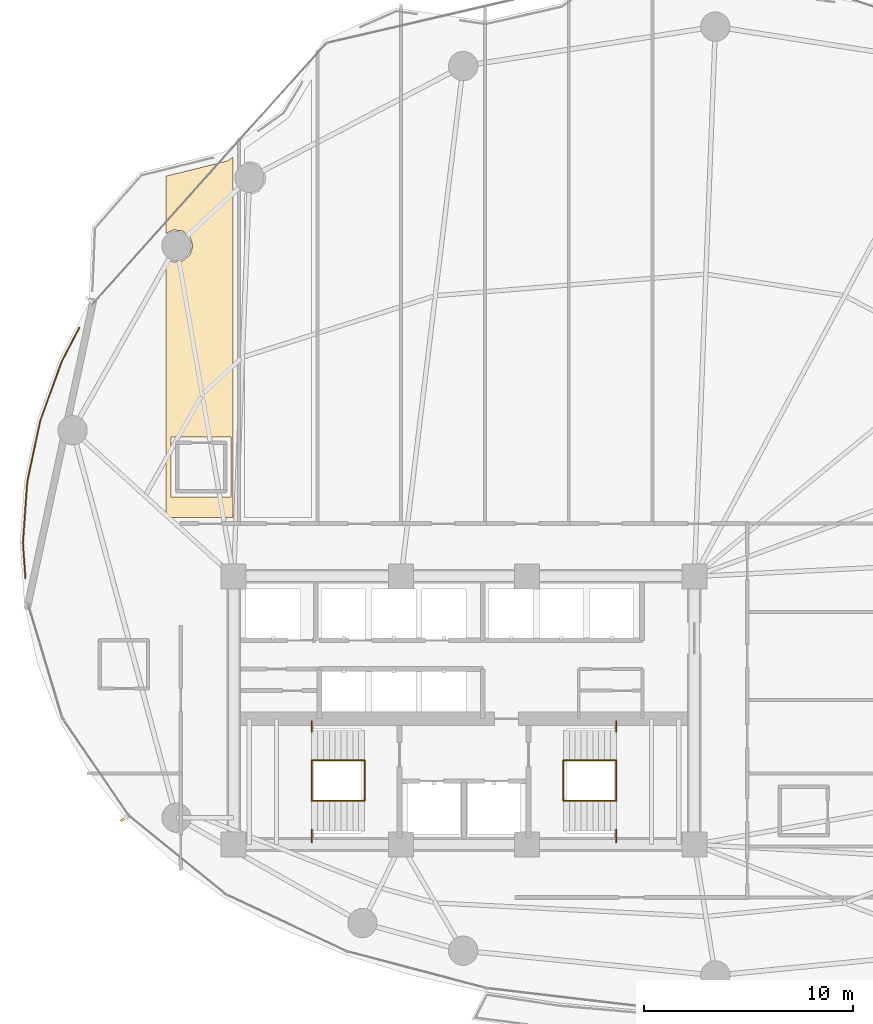
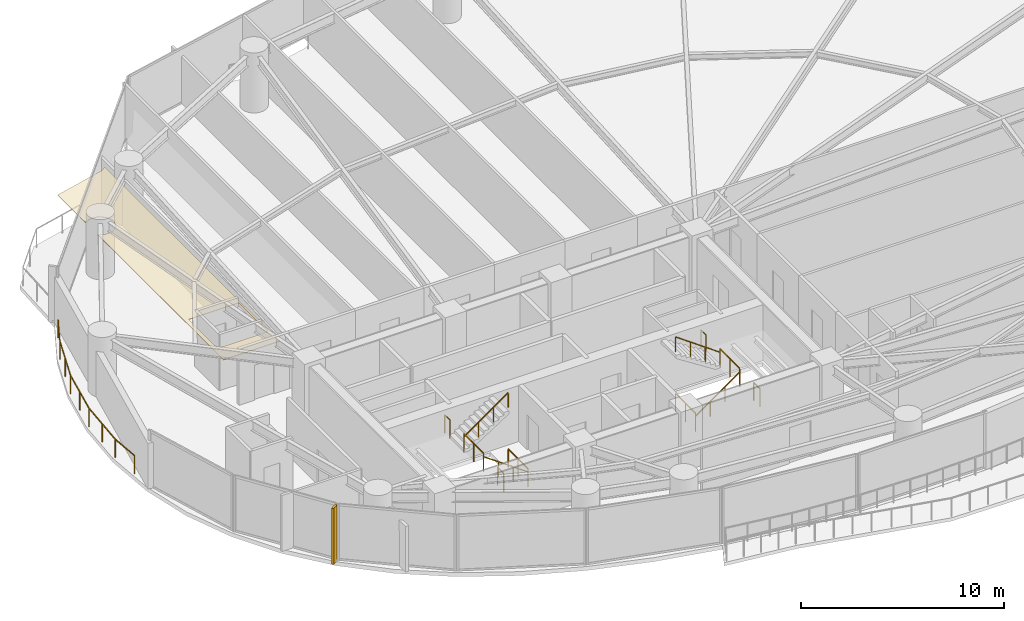
# One storey, part 30 of 32: 13 railings, 1 covering, 1 shading device.
"""IFC4 building model written with IfcOpenShell, lengths in metres."""

from ifc_helpers import new_model, si_unit, direction, frame, origin, origin_2d, place, context, subcontext, project, spatial, polyline, rectangle, outline, extrude, material, layer, layer_set, type_object, element, save


model = new_model("IFC4")

# Units and contexts
model_context = context("Model", 3, precision=1e-05, world=origin(), true_north=direction((0.0, 1.0)))
body_context = subcontext(model_context, "Body", "Model", "MODEL_VIEW")
ifc_project = project(units=[si_unit("LENGTHUNIT", "METRE"), si_unit("AREAUNIT", "SQUARE_METRE"), si_unit("VOLUMEUNIT", "CUBIC_METRE"), si_unit("PLANEANGLEUNIT", "RADIAN"), si_unit("MASSUNIT", "GRAM", prefix="KILO")], contexts=[model_context])

# Site, building, storey
site_placement = place(None, origin())
site = spatial("IfcSite", under=ifc_project, at=site_placement, CompositionType="ELEMENT")
building_placement = place(site_placement, origin())
building = spatial("IfcBuilding", under=site, at=building_placement, Name="Kazevale Care Tower and Concert Hall", CompositionType="ELEMENT")
storey_placement = place(building_placement, frame((0.0, 0.0, 85.199951171875)))
storey = spatial("IfcBuildingStorey", under=building, at=storey_placement, Name="L22", CompositionType="ELEMENT", Elevation=85.199951171875)

# Covering
ifc_material_1 = material(Name="Acoustic Plaster and Hinoki Wood", Category="wood")
ifc_layer = layer(ifc_material_1, 0.0400390625)
ifc_layer_set = layer_set([ifc_layer], Name="Acoustic Plaster and Hinoki Wood")
covering_type = type_object("IfcCoveringType", Name="Acoustic Perforated Wood-Gypsum Ceiling", PredefinedType="CEILING", material=ifc_layer_set)
covering_placement = place(storey_placement, frame((0.0, 0.0, 2.7099609375)))
element("IfcCovering", 1, at=covering_placement, inside=storey, type_object=covering_type, Name="clg:L22:1", PredefinedType="CEILING", context=body_context, shape_type="SweptSolid", body=[
    extrude(outline(polyline([(21.969970703125, 56.419921875), (21.969970703125, 39.205078125), (18.780029296875, 39.205078125), (18.780029296875, 51.577880859375), (19.117919921875, 51.4150390625), (19.568115234375, 51.458984375), (19.9189453125, 51.7470703125), (20.050048828125, 52.179931640625), (19.9189453125, 52.613037109375), (19.568115234375, 52.90087890625), (19.117919921875, 52.945068359375), (18.780029296875, 52.781982421875), (18.780029296875, 55.513916015625), (21.718994140625, 56.241943359375), (21.969970703125, 56.419921875)]), holes=[polyline([(19.02001953125, 43.054931640625), (19.02001953125, 40.195068359375), (21.8798828125, 40.195068359375), (21.8798828125, 43.054931640625), (19.02001953125, 43.054931640625)])]), origin(), (0.0, 0.0, 1.0), 0.0400390625),
])

# Railings
ifc_material_2 = material(Name="Anodised Bronze Aluminium and Laminated Glass", Category="aluminium")
railing_type_1 = type_object("IfcRailingType", Name="Balcony and Terrace Balustrade 1120", PredefinedType="BALUSTRADE", material=ifc_material_2)
railing_1_placement = place(storey_placement, frame((12.06005859375, 36.31103515625, 0.0)))
element("IfcRailing", 2, at=railing_1_placement, inside=storey, type_object=railing_type_1, Name="rail:L22:perim:1", PredefinedType="BALUSTRADE", context=body_context, shape_type="SweptSolid", body=[
    extrude(rectangle(XDim=0.048095703125, YDim=0.048095703125, at=origin_2d()), frame((0.0, 0.0, 1.09619140625), z_axis=(-0.070939644406, 0.997480609762, 0.0), x_axis=(-0.997480609762, -0.070939644406, 0.0)), (0.0, 0.0, 1.0), 1.693115234375),
    extrude(rectangle(XDim=0.048095703125, YDim=0.048095703125, at=origin_2d()), frame((-0.1201171875, 1.68896484375, 1.09619140625), z_axis=(0.070669368456, 0.997499794668, 0.0), x_axis=(-0.997499794668, 0.070669368456, 0.0)), (0.0, 0.0, 1.0), 2.943359375),
    extrude(rectangle(XDim=0.048095703125, YDim=0.048095703125, at=origin_2d()), frame((0.087890625, 4.625, 1.09619140625), z_axis=(0.208798068262, 0.977958775558, 0.0), x_axis=(-0.977958775558, 0.208798068262, 0.0)), (0.0, 0.0, 1.0), 2.96533203125),
    extrude(rectangle(XDim=0.048095703125, YDim=0.048095703125, at=origin_2d()), frame((0.70703125, 7.52490234375, 1.09619140625), z_axis=(0.340817262657, 0.940129562069, 0.0), x_axis=(-0.940129562069, 0.340817262657, 0.0)), (0.0, 0.0, 1.0), 3.007080078125),
    extrude(rectangle(XDim=0.048095703125, YDim=0.048095703125, at=origin_2d()), frame((1.73193359375, 10.35205078125, 1.09619140625), z_axis=(0.461849030606, 0.886958551979, 0.0), x_axis=(-0.886958551979, 0.461849030606, 0.0)), (0.0, 0.0, 1.0), 1.827392578125),
    extrude(rectangle(XDim=0.0419921875, YDim=0.0419921875, at=origin_2d()), origin(), (0.0, 0.0, 1.0), 1.072021484375),
    extrude(rectangle(XDim=0.0419921875, YDim=0.0419921875, at=origin_2d()), frame((-0.1201171875, 1.68896484375, 0.0)), (0.0, 0.0, 1.0), 1.072021484375),
    extrude(rectangle(XDim=0.0419921875, YDim=0.0419921875, at=origin_2d()), frame((-0.01611328125, 3.156982421875, 0.0)), (0.0, 0.0, 1.0), 1.072021484375),
    extrude(rectangle(XDim=0.0419921875, YDim=0.0419921875, at=origin_2d()), frame((0.087890625, 4.625, 0.0)), (0.0, 0.0, 1.0), 1.072021484375),
    extrude(rectangle(XDim=0.0419921875, YDim=0.0419921875, at=origin_2d()), frame((0.3974609375, 6.074951171875, 0.0)), (0.0, 0.0, 1.0), 1.072021484375),
    extrude(rectangle(XDim=0.0419921875, YDim=0.0419921875, at=origin_2d()), frame((0.70703125, 7.52490234375, 0.0)), (0.0, 0.0, 1.0), 1.072021484375),
    extrude(rectangle(XDim=0.0419921875, YDim=0.0419921875, at=origin_2d()), frame((1.219482421875, 8.9384765625, 0.0)), (0.0, 0.0, 1.0), 1.072021484375),
    extrude(rectangle(XDim=0.0419921875, YDim=0.0419921875, at=origin_2d()), frame((1.73193359375, 10.35205078125, 0.0)), (0.0, 0.0, 1.0), 1.072021484375),
    extrude(rectangle(XDim=0.0419921875, YDim=0.0419921875, at=origin_2d()), frame((2.575927734375, 11.972900390625, 0.0)), (0.0, 0.0, 1.0), 1.072021484375),
])
ifc_material_3 = material(Name="Stainless Steel 316", Category="steel")
railing_type_2 = type_object("IfcRailingType", Name="Stair Pitch Handrail 920", PredefinedType="HANDRAIL", material=ifc_material_3)
railing_2_placement = place(storey_placement, frame((28.25, 25.679931640625, 0.0)))
element("IfcRailing", 3, at=railing_2_placement, inside=storey, type_object=railing_type_2, Name="stair:L22:ST1:hr1", PredefinedType="HANDRAIL", context=body_context, shape_type="SweptSolid", body=[
    extrude(rectangle(XDim=0.048095703125, YDim=0.048095703125, at=origin_2d()), frame((0.0, 0.0, 0.89599609375), z_axis=(-0.813728144527, 0.0, 0.581245650998), x_axis=(0.0, -1.0, 0.0)), (0.0, 0.0, 1.0), 3.096923828125),
    extrude(rectangle(XDim=0.0419921875, YDim=0.0419921875, at=origin_2d()), origin(), (0.0, 0.0, 1.0), 0.871826171875),
    extrude(rectangle(XDim=0.0419921875, YDim=0.0419921875, at=origin_2d()), frame((-0.840087890625, 0.0, 0.60009765625)), (0.0, 0.0, 1.0), 0.871826171875),
    extrude(rectangle(XDim=0.0419921875, YDim=0.0419921875, at=origin_2d()), frame((-1.679931640625, 0.0, 1.199951171875)), (0.0, 0.0, 1.0), 0.871826171875),
    extrude(rectangle(XDim=0.0419921875, YDim=0.0419921875, at=origin_2d()), frame((-2.52001953125, 0.0, 1.800048828125)), (0.0, 0.0, 1.0), 0.871826171875),
])
for number, where, name in (
    (4, (25.72998046875, 27.6201171875, 1.800048828125), "stair:L22:ST1:hr2"),
    (5, (37.75, 25.679931640625, 0.0), "stair:L22:ST2:hr1"),
):
    element("IfcRailing", number, at=place(storey_placement, frame(where)), inside=storey, type_object=railing_type_2, Name=name, PredefinedType="HANDRAIL", context=body_context, shape_type="SweptSolid", body=[
        extrude(rectangle(XDim=0.048095703125, YDim=0.048095703125, at=origin_2d()), frame((0.0, 0.0, 0.89599609375), z_axis=(0.813728144527, 0.0, 0.581245650998), x_axis=(0.0, 1.0, 0.0)), (0.0, 0.0, 1.0), 3.096923828125),
        extrude(rectangle(XDim=0.0419921875, YDim=0.0419921875, at=origin_2d()), origin(), (0.0, 0.0, 1.0), 0.871826171875),
        extrude(rectangle(XDim=0.0419921875, YDim=0.0419921875, at=origin_2d()), frame((0.840087890625, 0.0, 0.60009765625)), (0.0, 0.0, 1.0), 0.871826171875),
        extrude(rectangle(XDim=0.0419921875, YDim=0.0419921875, at=origin_2d()), frame((1.679931640625, 0.0, 1.199951171875)), (0.0, 0.0, 1.0), 0.871826171875),
        extrude(rectangle(XDim=0.0419921875, YDim=0.0419921875, at=origin_2d()), frame((2.52001953125, 0.0, 1.800048828125)), (0.0, 0.0, 1.0), 0.871826171875),
    ])
railing_3_placement = place(storey_placement, frame((40.27001953125, 27.6201171875, 1.800048828125)))
element("IfcRailing", 6, at=railing_3_placement, inside=storey, type_object=railing_type_2, Name="stair:L22:ST2:hr2", PredefinedType="HANDRAIL", context=body_context, shape_type="SweptSolid", body=[
    extrude(rectangle(XDim=0.048095703125, YDim=0.048095703125, at=origin_2d()), frame((0.0, 0.0, 0.89599609375), z_axis=(-0.813728144527, 0.0, 0.581245650998), x_axis=(0.0, -1.0, 0.0)), (0.0, 0.0, 1.0), 3.096923828125),
    extrude(rectangle(XDim=0.0419921875, YDim=0.0419921875, at=origin_2d()), origin(), (0.0, 0.0, 1.0), 0.871826171875),
    extrude(rectangle(XDim=0.0419921875, YDim=0.0419921875, at=origin_2d()), frame((-0.840087890625, 0.0, 0.60009765625)), (0.0, 0.0, 1.0), 0.871826171875),
    extrude(rectangle(XDim=0.0419921875, YDim=0.0419921875, at=origin_2d()), frame((-1.679931640625, 0.0, 1.199951171875)), (0.0, 0.0, 1.0), 0.871826171875),
    extrude(rectangle(XDim=0.0419921875, YDim=0.0419921875, at=origin_2d()), frame((-2.52001953125, 0.0, 1.800048828125)), (0.0, 0.0, 1.0), 0.871826171875),
])
railing_type_3 = type_object("IfcRailingType", Name="Stair Well Guard Balustrade 1120", PredefinedType="BALUSTRADE", material=ifc_material_3)
railing_4_placement = place(storey_placement, frame((25.72998046875, 23.699951171875, 1.800048828125)))
element("IfcRailing", 7, at=railing_4_placement, inside=storey, type_object=railing_type_3, Name="stair:L22:ST1:grd_side1", PredefinedType="BALUSTRADE", context=body_context, shape_type="SweptSolid", body=[
    extrude(rectangle(XDim=0.048095703125, YDim=0.048095703125, at=origin_2d()), frame((0.0, 0.0, 1.09619140625), z_axis=(0.0, 1.0, 0.0), x_axis=(-1.0, 0.0, 0.0)), (0.0, 0.0, 1.0), 0.610107421875),
    extrude(rectangle(XDim=0.0419921875, YDim=0.0419921875, at=origin_2d()), origin(), (0.0, 0.0, 1.0), 1.072021484375),
    extrude(rectangle(XDim=0.0419921875, YDim=0.0419921875, at=origin_2d()), frame((0.0, 0.610107421875, 0.0)), (0.0, 0.0, 1.0), 1.072021484375),
])
railing_5_placement = place(storey_placement, frame((25.72998046875, 28.989990234375, 1.800048828125)))
element("IfcRailing", 8, at=railing_5_placement, inside=storey, type_object=railing_type_3, Name="stair:L22:ST1:grd_side2", PredefinedType="BALUSTRADE", context=body_context, shape_type="SweptSolid", body=[
    extrude(rectangle(XDim=0.048095703125, YDim=0.048095703125, at=origin_2d()), frame((0.0, 0.0, 1.09619140625), z_axis=(0.0, 1.0, 0.0), x_axis=(-1.0, 0.0, 0.0)), (0.0, 0.0, 1.0), 0.510009765625),
    extrude(rectangle(XDim=0.0419921875, YDim=0.0419921875, at=origin_2d()), origin(), (0.0, 0.0, 1.0), 1.072021484375),
    extrude(rectangle(XDim=0.0419921875, YDim=0.0419921875, at=origin_2d()), frame((0.0, 0.510009765625, 0.0)), (0.0, 0.0, 1.0), 1.072021484375),
])
for number, where, name in (
    (9, (25.72998046875, 25.679931640625, 1.800048828125), "stair:L22:ST1:grd_mid"),
    (10, (28.25, 25.679931640625, 0.0), "stair:L22:ST1:grd_flr"),
):
    element("IfcRailing", number, at=place(storey_placement, frame(where)), inside=storey, type_object=railing_type_3, Name=name, PredefinedType="BALUSTRADE", context=body_context, shape_type="SweptSolid", body=[
        extrude(rectangle(XDim=0.048095703125, YDim=0.048095703125, at=origin_2d()), frame((0.0, 0.0, 1.09619140625), z_axis=(0.0, 1.0, 0.0), x_axis=(-1.0, 0.0, 0.0)), (0.0, 0.0, 1.0), 1.940185546875),
        extrude(rectangle(XDim=0.0419921875, YDim=0.0419921875, at=origin_2d()), origin(), (0.0, 0.0, 1.0), 1.072021484375),
        extrude(rectangle(XDim=0.0419921875, YDim=0.0419921875, at=origin_2d()), frame((0.0, 0.97021484375, 0.0)), (0.0, 0.0, 1.0), 1.072021484375),
        extrude(rectangle(XDim=0.0419921875, YDim=0.0419921875, at=origin_2d()), frame((0.0, 1.940185546875, 0.0)), (0.0, 0.0, 1.0), 1.072021484375),
    ])
railing_6_placement = place(storey_placement, frame((40.27001953125, 23.699951171875, 1.800048828125)))
element("IfcRailing", 11, at=railing_6_placement, inside=storey, type_object=railing_type_3, Name="stair:L22:ST2:grd_side1", PredefinedType="BALUSTRADE", context=body_context, shape_type="SweptSolid", body=[
    extrude(rectangle(XDim=0.048095703125, YDim=0.048095703125, at=origin_2d()), frame((0.0, 0.0, 1.09619140625), z_axis=(0.0, 1.0, 0.0), x_axis=(-1.0, 0.0, 0.0)), (0.0, 0.0, 1.0), 0.610107421875),
    extrude(rectangle(XDim=0.0419921875, YDim=0.0419921875, at=origin_2d()), origin(), (0.0, 0.0, 1.0), 1.072021484375),
    extrude(rectangle(XDim=0.0419921875, YDim=0.0419921875, at=origin_2d()), frame((0.0, 0.610107421875, 0.0)), (0.0, 0.0, 1.0), 1.072021484375),
])
railing_7_placement = place(storey_placement, frame((40.27001953125, 28.989990234375, 1.800048828125)))
element("IfcRailing", 12, at=railing_7_placement, inside=storey, type_object=railing_type_3, Name="stair:L22:ST2:grd_side2", PredefinedType="BALUSTRADE", context=body_context, shape_type="SweptSolid", body=[
    extrude(rectangle(XDim=0.048095703125, YDim=0.048095703125, at=origin_2d()), frame((0.0, 0.0, 1.09619140625), z_axis=(0.0, 1.0, 0.0), x_axis=(-1.0, 0.0, 0.0)), (0.0, 0.0, 1.0), 0.510009765625),
    extrude(rectangle(XDim=0.0419921875, YDim=0.0419921875, at=origin_2d()), origin(), (0.0, 0.0, 1.0), 1.072021484375),
    extrude(rectangle(XDim=0.0419921875, YDim=0.0419921875, at=origin_2d()), frame((0.0, 0.510009765625, 0.0)), (0.0, 0.0, 1.0), 1.072021484375),
])
for number, where, name in (
    (13, (40.27001953125, 25.679931640625, 1.800048828125), "stair:L22:ST2:grd_mid"),
    (14, (37.75, 25.679931640625, 0.0), "stair:L22:ST2:grd_flr"),
):
    element("IfcRailing", number, at=place(storey_placement, frame(where)), inside=storey, type_object=railing_type_3, Name=name, PredefinedType="BALUSTRADE", context=body_context, shape_type="SweptSolid", body=[
        extrude(rectangle(XDim=0.048095703125, YDim=0.048095703125, at=origin_2d()), frame((0.0, 0.0, 1.09619140625), z_axis=(0.0, 1.0, 0.0), x_axis=(-1.0, 0.0, 0.0)), (0.0, 0.0, 1.0), 1.940185546875),
        extrude(rectangle(XDim=0.0419921875, YDim=0.0419921875, at=origin_2d()), origin(), (0.0, 0.0, 1.0), 1.072021484375),
        extrude(rectangle(XDim=0.0419921875, YDim=0.0419921875, at=origin_2d()), frame((0.0, 0.97021484375, 0.0)), (0.0, 0.0, 1.0), 1.072021484375),
        extrude(rectangle(XDim=0.0419921875, YDim=0.0419921875, at=origin_2d()), frame((0.0, 1.940185546875, 0.0)), (0.0, 0.0, 1.0), 1.072021484375),
    ])

# Shading device
ifc_material_4 = material(Name="Honed Ochre Limestone", Category="masonry")
shading_device_type = type_object("IfcShadingDeviceType", Name="Vertical Honed Limestone Fin FIN-01", PredefinedType="USERDEFINED", material=ifc_material_4)
shading_device_placement = place(storey_placement, frame((16.7705078125, 24.83447265625, 0.0), z_axis=(0.0, 0.0, 1.0), x_axis=(-0.825999928064, -0.563670221706, 0.0)))
element("IfcShadingDevice", 15, at=shading_device_placement, inside=storey, type_object=shading_device_type, Name="cw:L22:f11:fin", ObjectType="FIN", PredefinedType="USERDEFINED", context=body_context, shape_type="SweptSolid", body=[
    extrude(rectangle(XDim=0.3798828125, YDim=0.1201171875, at=origin_2d()), origin(), (0.0, 0.0, 1.0), 3.360107421875),
])

save(model, "model.ifc")
